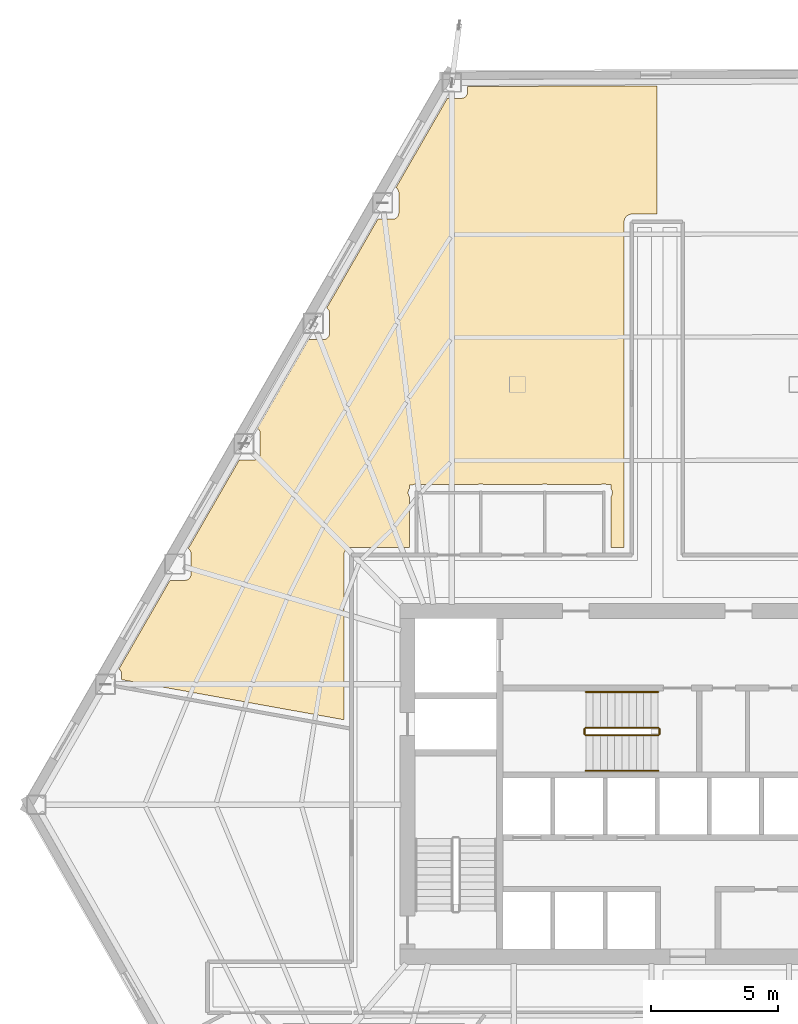
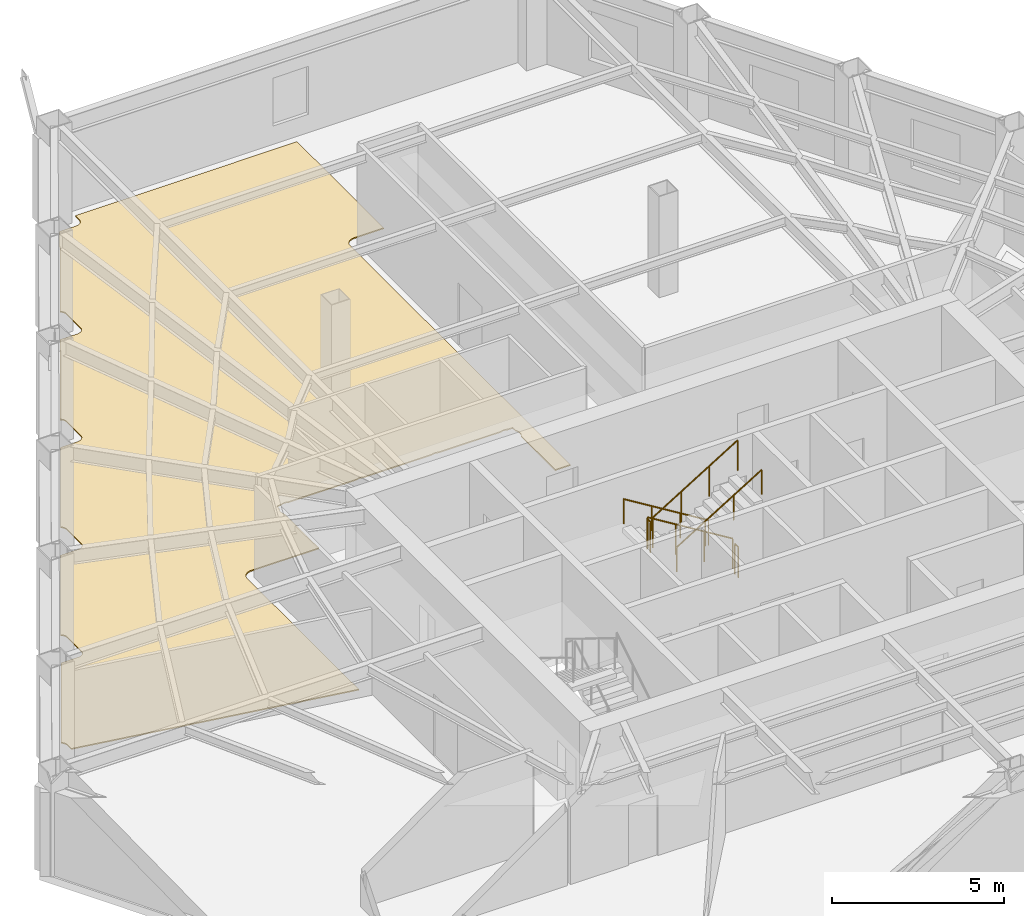
# One storey, part 11 of 12: 6 railings, 1 covering.
"""IFC4 building model written with IfcOpenShell, lengths in metres."""

import ifcopenshell
import ifcopenshell.guid

model = None  # the IFC model being written
_history = None  # IfcOwnerHistory: only IFC2X3 demands one
_inside = {}  # id of a spatial element -> (the spatial element, [elements in it])
_under = {}  # id of a project, library or spatial element -> (it, [spatial elements below it])
_declared = {}  # id of a project -> (the project, [libraries it declares])
_typed = {}  # id of a type object -> (the type object, [elements of that type])
_made_of = {}  # id of a material, layer set ... -> (it, [elements and type objects made of it])


def new_model(schema):
    """Start an empty IFC model of exactly this schema.

    Asked for "IFC4X3", IfcOpenShell would pick the latest addendum, in which some entities
    have other attributes; the version numbers below select the first issue.
    IFC2X3 requires an IfcOwnerHistory on every rooted entity: one is made here for all.
    """
    global model, _history
    if schema == "IFC4X3":
        model = ifcopenshell.file(schema_version=(4, 3, 0, 0))
    else:
        model = ifcopenshell.file(schema=schema)
    _inside.clear()
    _under.clear()
    _declared.clear()
    _typed.clear()
    _made_of.clear()
    _history = None
    if model.schema == "IFC2X3":
        org = make("IfcOrganization", Name="unknown")
        user = make(
            "IfcPersonAndOrganization",
            ThePerson=make("IfcPerson", FamilyName="unknown"),
            TheOrganization=org,
        )
        app = make(
            "IfcApplication",
            ApplicationDeveloper=org,
            Version="unknown",
            ApplicationFullName="unknown",
            ApplicationIdentifier="unknown",
        )
        _history = make(
            "IfcOwnerHistory",
            OwningUser=user,
            OwningApplication=app,
            ChangeAction="ADDED",
            CreationDate=0,
        )
    return model


def make(cls, **values):
    """One entity of the class cls with the attributes given. An attribute that is None is left unset."""
    return model.create_entity(
        cls, **{name: value for name, value in values.items() if value is not None}
    )


def rooted(cls, **values):
    """An entity with a GlobalId (a new one), such as an element, a storey or a relation."""
    return make(cls, GlobalId=ifcopenshell.guid.new(), OwnerHistory=_history, **values)


def si_unit(unit_type, name, prefix=None):
    """IfcSIUnit, for example si_unit("LENGTHUNIT", "METRE", prefix="MILLI")."""
    return make("IfcSIUnit", UnitType=unit_type, Prefix=prefix, Name=name)


def assignment(units):
    """IfcUnitAssignment: the units of a project."""
    return None if units is None else make("IfcUnitAssignment", Units=units)


def point(xyz):
    """IfcCartesianPoint."""
    return None if xyz is None else make("IfcCartesianPoint", Coordinates=xyz)


def direction(xyz):
    """IfcDirection."""
    return None if xyz is None else make("IfcDirection", DirectionRatios=xyz)


def frame(location, z_axis=None, x_axis=None):
    """IfcAxis2Placement3D, a coordinate frame: its origin and axes. An axis left out is left unset."""
    return make(
        "IfcAxis2Placement3D",
        Location=point(location),
        Axis=direction(z_axis),
        RefDirection=direction(x_axis),
    )


def frame_2d(location, x_axis=None):
    """IfcAxis2Placement2D, a coordinate frame in the plane: its origin and x axis."""
    return make(
        "IfcAxis2Placement2D", Location=point(location), RefDirection=direction(x_axis)
    )


def origin():
    """The frame at (0, 0, 0) with its axes left unset."""
    return frame((0.0, 0.0, 0.0))


def origin_2d():
    """The frame at (0, 0) in the plane with its x axis left unset."""
    return frame_2d((0.0, 0.0))


def place(relative_to, where):
    """IfcLocalPlacement: puts the frame where relative to a parent placement (None: the world)."""
    return make(
        "IfcLocalPlacement", PlacementRelTo=relative_to, RelativePlacement=where
    )


def context(
    kind, dimensions, precision=None, world=None, true_north=None, identifier=None
):
    """IfcGeometricRepresentationContext, for example the 3D "Model" context."""
    return make(
        "IfcGeometricRepresentationContext",
        ContextIdentifier=identifier,
        ContextType=kind,
        CoordinateSpaceDimension=dimensions,
        Precision=precision,
        WorldCoordinateSystem=world,
        TrueNorth=true_north,
    )


def subcontext(parent, identifier, kind, view, scale=None):
    """IfcGeometricRepresentationSubContext, for example "Body" below "Model"."""
    return make(
        "IfcGeometricRepresentationSubContext",
        ContextIdentifier=identifier,
        ContextType=kind,
        ParentContext=parent,
        TargetScale=scale,
        TargetView=view,
    )


def project(units=None, contexts=None):
    """IfcProject with its units and contexts."""
    return rooted(
        "IfcProject",
        Name="project",
        RepresentationContexts=contexts,
        UnitsInContext=assignment(units),
    )


def spatial(cls, under=None, at=None, **own):
    """A site, building, storey or space (cls), placed at a placement, below another one or the project."""
    s = rooted(cls, ObjectPlacement=at, **own)
    if under is not None:
        _under.setdefault(under.id(), (under, []))[1].append(s)
    return s


def polyline(points):
    """IfcPolyline through the points."""
    return make("IfcPolyline", Points=[point(p) for p in points])


def profile(cls, at=None, kind="AREA", **sizes):
    """A parametric profile (cls). Its sizes go by their IFC names, for example OverallWidth=200.0."""
    return make(cls, ProfileType=kind, Position=at, **sizes)


def circle(**sizes):
    """IfcCircleProfileDef."""
    return profile("IfcCircleProfileDef", **sizes)


def outline(outer, holes=None, kind="AREA"):
    """IfcArbitraryClosedProfileDef: a profile drawn as a closed curve; with holes, ...WithVoids."""
    if holes is None:
        return make("IfcArbitraryClosedProfileDef", ProfileType=kind, OuterCurve=outer)
    return make(
        "IfcArbitraryProfileDefWithVoids",
        ProfileType=kind,
        OuterCurve=outer,
        InnerCurves=holes,
    )


def extrude(swept, where, along, depth):
    """IfcExtrudedAreaSolid: the profile swept, set in the frame where, extruded along a direction by depth."""
    return make(
        "IfcExtrudedAreaSolid",
        SweptArea=swept,
        Position=where,
        ExtrudedDirection=direction(along),
        Depth=depth,
    )


def shape(context_of_items, identifier, shape_type, items):
    """IfcShapeRepresentation: the items that make up one representation, for example the "Body"."""
    return make(
        "IfcShapeRepresentation",
        ContextOfItems=context_of_items,
        RepresentationIdentifier=identifier,
        RepresentationType=shape_type,
        Items=items,
    )


def material(Name=None, Category=None):
    """IfcMaterial."""
    return make("IfcMaterial", Name=Name, Category=Category)


def layer(
    of_material, thickness, ventilated=None, Name=None, Category=None, Priority=None
):
    """IfcMaterialLayer: one layer of a wall or slab, of a material (None: an air gap)."""
    return make(
        "IfcMaterialLayer",
        Material=of_material,
        LayerThickness=thickness,
        IsVentilated=ventilated,
        Name=Name,
        Category=Category,
        Priority=Priority,
    )


def layer_set(layers, Name=None):
    """IfcMaterialLayerSet."""
    return make("IfcMaterialLayerSet", MaterialLayers=layers, LayerSetName=Name)


def made_of(thing, what):
    """Note that an element or type object is made of a material, layer set ...; save() writes the relation."""
    if what is not None:
        _made_of.setdefault(what.id(), (what, []))[1].append(thing)
    return thing


def type_object(cls, material=None, **own):
    """A type object (cls), such as IfcWallType, which elements share."""
    return made_of(rooted(cls, **own), material)


def element(
    cls,
    number,
    at=None,
    inside=None,
    cuts=None,
    type_object=None,
    material=None,
    context=None,
    identifier="Body",
    shape_type=None,
    held_by="IfcProductDefinitionShape",
    body=None,
    shapes=None,
    **own,
):
    """One element of the class cls, such as IfcWall. Its Tag is "e" and its number.

    at: its placement. inside: the storey or other place that contains it. cuts: it is an
    opening in that element (IfcRelVoidsElement). A single representation is given by context,
    identifier, shape_type and body (its items); several are given by shapes. held_by: the class
    of the entity that holds the representations. save() writes the other relations.
    """
    e = rooted(cls, Tag="e%d" % number, ObjectPlacement=at, **own)
    if body is not None:
        shapes = [shape(context, identifier, shape_type, body)]
    if shapes is not None:
        e.Representation = make(held_by, Representations=shapes)
    if inside is not None:
        _inside.setdefault(inside.id(), (inside, []))[1].append(e)
    if cuts is not None:
        rooted(
            "IfcRelVoidsElement", RelatingBuildingElement=cuts, RelatedOpeningElement=e
        )
    if type_object is not None:
        _typed.setdefault(type_object.id(), (type_object, []))[1].append(e)
    return made_of(e, material)


def aggregate(whole, parts):
    """IfcRelAggregates: a whole, such as a stair, and the parts it consists of."""
    return rooted("IfcRelAggregates", RelatingObject=whole, RelatedObjects=parts)


def save(model, path):
    """Write the relations noted so far, then the file.

    IfcRelAggregates (storeys below a building ...), IfcRelContainedInSpatialStructure (elements
    in a storey), IfcRelDefinesByType, IfcRelAssociatesMaterial and IfcRelDeclares: one each for
    every whole, place, type object, material and project.
    """
    for whole, parts in _under.values():
        aggregate(whole, parts)
    for where, things in _inside.values():
        rooted(
            "IfcRelContainedInSpatialStructure",
            RelatedElements=things,
            RelatingStructure=where,
        )
    for kind, things in _typed.values():
        rooted("IfcRelDefinesByType", RelatedObjects=things, RelatingType=kind)
    for what, things in _made_of.values():
        rooted("IfcRelAssociatesMaterial", RelatedObjects=things, RelatingMaterial=what)
    for by, libraries in _declared.values():
        rooted("IfcRelDeclares", RelatingContext=by, RelatedDefinitions=libraries)
    model.write(path)


model = new_model("IFC4")

# Units and contexts
model_context = context("Model", 3, precision=1e-05, world=origin(), true_north=direction((0.0, 1.0)))
body_context = subcontext(model_context, "Body", "Model", "MODEL_VIEW")
ifc_project = project(units=[si_unit("LENGTHUNIT", "METRE"), si_unit("AREAUNIT", "SQUARE_METRE"), si_unit("VOLUMEUNIT", "CUBIC_METRE"), si_unit("PLANEANGLEUNIT", "RADIAN"), si_unit("MASSUNIT", "GRAM", prefix="KILO")], contexts=[model_context])

# Site, building, storey
site_placement = place(None, origin())
site = spatial("IfcSite", under=ifc_project, at=site_placement, CompositionType="ELEMENT")
building_placement = place(site_placement, origin())
building = spatial("IfcBuilding", under=site, at=building_placement, Name="Kavelnor Concourse Tower", CompositionType="ELEMENT")
storey_placement = place(building_placement, frame((0.0, 0.0, 13.699951171875)))
storey = spatial("IfcBuildingStorey", under=building, at=storey_placement, Name="L03", CompositionType="ELEMENT", Elevation=13.699951171875)

# Covering
ifc_material_1 = material(Name="Honed bluestone and raised access floor finish", Category="masonry")
ifc_layer = layer(ifc_material_1, 0.0400390625, Name="Honed bluestone and raised access floor finish")
ifc_layer_set = layer_set([ifc_layer], Name="Honed bluestone and raised access floor finish")
covering_type = type_object("IfcCoveringType", Name="COV-FLOOR-STONE", PredefinedType="FLOORING", material=ifc_layer_set)
covering_placement = place(storey_placement, frame((0.0, 0.0, 0.001953125)))
element("IfcCovering", 1, at=covering_placement, inside=storey, type_object=covering_type, Name="L03 Honed Bluestone Floor Finish", PredefinedType="FLOORING", context=body_context, shape_type="SweptSolid", body=[
    extrude(outline(polyline([(19.4501953125, 24.105712890625), (19.473388671875, 24.109130859375), (19.496337890625, 24.114990234375), (19.5185546875, 24.122802734375), (19.539794921875, 24.1328125), (19.56005859375, 24.14501953125), (19.5791015625, 24.1591796875), (19.596435546875, 24.1748046875), (19.6123046875, 24.1923828125), (19.62646484375, 24.211181640625), (19.638427734375, 24.2314453125), (19.648681640625, 24.2529296875), (19.656494140625, 24.275146484375), (19.662109375, 24.2978515625), (19.665771484375, 24.3212890625), (19.66650390625, 24.33935546875), (19.66650390625, 25.150146484375), (19.665771484375, 25.16845703125), (19.662109375, 25.191650390625), (19.656494140625, 25.214599609375), (19.648681640625, 25.23681640625), (19.638427734375, 25.258056640625), (19.62646484375, 25.2783203125), (19.6123046875, 25.297119140625), (19.596435546875, 25.314697265625), (19.5791015625, 25.33056640625), (19.56005859375, 25.344482421875), (19.55712890625, 25.34619140625), (21.56640625, 28.837890625), (22.155517578125, 28.837890625), (22.173583984375, 28.8388671875), (22.197021484375, 28.84228515625), (22.2197265625, 28.847900390625), (22.241943359375, 28.85595703125), (22.263427734375, 28.865966796875), (22.28369140625, 28.878173828125), (22.302490234375, 28.89208984375), (22.320068359375, 28.907958984375), (22.335693359375, 28.925537109375), (22.349853515625, 28.9443359375), (22.362060546875, 28.964599609375), (22.3720703125, 28.986083984375), (22.3798828125, 29.00830078125), (22.3857421875, 29.031005859375), (22.38916015625, 29.05419921875), (22.39013671875, 29.072509765625), (22.39013671875, 29.88330078125), (22.38916015625, 29.901611328125), (22.3857421875, 29.9248046875), (22.3798828125, 29.947509765625), (22.3720703125, 29.9697265625), (22.362060546875, 29.9912109375), (22.349853515625, 30.011474609375), (22.335693359375, 30.0302734375), (22.320068359375, 30.0478515625), (22.302490234375, 30.063720703125), (22.28369140625, 30.07763671875), (22.28076171875, 30.079345703125), (24.2900390625, 33.571044921875), (24.879150390625, 33.571044921875), (24.897216796875, 33.572021484375), (24.920654296875, 33.575439453125), (24.943359375, 33.581298828125), (24.965576171875, 33.589111328125), (24.987060546875, 33.59912109375), (25.007080078125, 33.611328125), (25.026123046875, 33.62548828125), (25.043701171875, 33.64111328125), (25.059326171875, 33.65869140625), (25.073486328125, 33.677490234375), (25.085693359375, 33.69775390625), (25.095703125, 33.71923828125), (25.103515625, 33.741455078125), (25.109375, 33.76416015625), (25.11279296875, 33.78759765625), (25.11376953125, 33.8056640625), (25.11376953125, 34.616455078125), (25.11279296875, 34.634765625), (25.109375, 34.657958984375), (25.103515625, 34.680908203125), (25.095703125, 34.702880859375), (25.085693359375, 34.724365234375), (25.073486328125, 34.74462890625), (25.059326171875, 34.763427734375), (25.043701171875, 34.781005859375), (25.026123046875, 34.796875), (25.007080078125, 34.810791015625), (25.00439453125, 34.8125), (27.013671875, 38.30419921875), (27.602783203125, 38.30419921875), (27.620849609375, 38.30517578125), (27.644287109375, 38.30859375), (27.6669921875, 38.314208984375), (27.689208984375, 38.322265625), (27.710693359375, 38.332275390625), (27.730712890625, 38.344482421875), (27.749755859375, 38.3583984375), (27.76708984375, 38.374267578125), (27.782958984375, 38.391845703125), (27.797119140625, 38.41064453125), (27.80908203125, 38.430908203125), (27.8193359375, 38.452392578125), (27.8271484375, 38.474609375), (27.8330078125, 38.497314453125), (27.83642578125, 38.5205078125), (27.83740234375, 38.538818359375), (27.83740234375, 39.349609375), (27.83642578125, 39.367919921875), (27.8330078125, 39.39111328125), (27.8271484375, 39.413818359375), (27.8193359375, 39.43603515625), (27.80908203125, 39.45751953125), (27.797119140625, 39.477783203125), (27.782958984375, 39.49658203125), (27.76708984375, 39.51416015625), (27.749755859375, 39.52978515625), (27.730712890625, 39.5439453125), (27.72802734375, 39.545654296875), (29.748779296875, 43.057373046875), (30.306396484375, 43.057373046875), (30.324462890625, 43.05810546875), (30.347900390625, 43.061767578125), (30.37060546875, 43.0673828125), (30.392822265625, 43.0751953125), (30.414306640625, 43.08544921875), (30.434326171875, 43.097412109375), (30.453369140625, 43.111572265625), (30.470703125, 43.12744140625), (30.486572265625, 43.14501953125), (30.500732421875, 43.163818359375), (30.5126953125, 43.18408203125), (30.52294921875, 43.205322265625), (30.53076171875, 43.2275390625), (30.53662109375, 43.25048828125), (30.5400390625, 43.273681640625), (30.541015625, 43.2919921875), (30.541015625, 43.519775390625), (37.9951171875, 43.54931640625), (37.9951171875, 38.50244140625), (36.99462890625, 38.50244140625), (36.97021484375, 38.501220703125), (36.94091796875, 38.496826171875), (36.912109375, 38.48974609375), (36.884033203125, 38.479736328125), (36.857421875, 38.467041015625), (36.831787109375, 38.45166015625), (36.807861328125, 38.43408203125), (36.785888671875, 38.4140625), (36.76611328125, 38.39208984375), (36.748291015625, 38.3681640625), (36.73291015625, 38.3427734375), (36.72021484375, 38.31591796875), (36.710205078125, 38.287841796875), (36.703125, 38.259033203125), (36.69873046875, 38.229736328125), (36.697509765625, 38.205322265625), (36.697509765625, 25.402587890625), (36.18505859375, 25.402587890625), (36.18505859375, 27.388671875), (36.187255859375, 27.3916015625), (36.20166015625, 27.41552734375), (36.213623046875, 27.44091796875), (36.222900390625, 27.46728515625), (36.229736328125, 27.494384765625), (36.23388671875, 27.52197265625), (36.2353515625, 27.550048828125), (36.23388671875, 27.577880859375), (36.229736328125, 27.605712890625), (36.222900390625, 27.6328125), (36.213623046875, 27.6591796875), (36.20166015625, 27.6845703125), (36.187255859375, 27.70849609375), (36.1796875, 27.718505859375), (36.17919921875, 27.8701171875), (36.0166015625, 27.8701171875), (36.00927734375, 27.87353515625), (35.98291015625, 27.883056640625), (35.955810546875, 27.889892578125), (35.927978515625, 27.893798828125), (35.89990234375, 27.895263671875), (35.8720703125, 27.893798828125), (35.84423828125, 27.889892578125), (35.817138671875, 27.883056640625), (35.790771484375, 27.87353515625), (35.785888671875, 27.87109375), (33.696533203125, 27.8701171875), (33.689208984375, 27.87353515625), (33.662841796875, 27.883056640625), (33.6357421875, 27.889892578125), (33.60791015625, 27.893798828125), (33.580078125, 27.895263671875), (33.552001953125, 27.893798828125), (33.5244140625, 27.889892578125), (33.497314453125, 27.883056640625), (33.470703125, 27.87353515625), (33.4658203125, 27.87109375), (31.176513671875, 27.8701171875), (31.169189453125, 27.87353515625), (31.142822265625, 27.883056640625), (31.11572265625, 27.889892578125), (31.087890625, 27.893798828125), (31.06005859375, 27.895263671875), (31.031982421875, 27.893798828125), (31.00439453125, 27.889892578125), (30.977294921875, 27.883056640625), (30.95068359375, 27.87353515625), (30.94580078125, 27.87109375), (28.656494140625, 27.8701171875), (28.649169921875, 27.87353515625), (28.622802734375, 27.883056640625), (28.595703125, 27.889892578125), (28.568115234375, 27.893798828125), (28.5400390625, 27.895263671875), (28.511962890625, 27.893798828125), (28.484375, 27.889892578125), (28.457275390625, 27.883056640625), (28.430908203125, 27.87353515625), (28.40771484375, 27.862548828125), (28.260009765625, 27.843994140625), (28.260009765625, 27.71826171875), (28.252685546875, 27.70849609375), (28.23828125, 27.6845703125), (28.226318359375, 27.6591796875), (28.217041015625, 27.6328125), (28.210205078125, 27.605712890625), (28.2060546875, 27.577880859375), (28.20458984375, 27.550048828125), (28.2060546875, 27.52197265625), (28.210205078125, 27.494384765625), (28.217041015625, 27.46728515625), (28.226318359375, 27.44091796875), (28.23828125, 27.41552734375), (28.252685546875, 27.3916015625), (28.2548828125, 27.388671875), (28.2548828125, 25.402587890625), (25.974609375, 25.402587890625), (25.9501953125, 25.4013671875), (25.9208984375, 25.39697265625), (25.89208984375, 25.3896484375), (25.864013671875, 25.379638671875), (25.83740234375, 25.366943359375), (25.811767578125, 25.351806640625), (25.787841796875, 25.333984375), (25.765869140625, 25.314208984375), (25.74609375, 25.2919921875), (25.728271484375, 25.268310546875), (25.712890625, 25.24267578125), (25.7001953125, 25.2158203125), (25.690185546875, 25.18798828125), (25.68310546875, 25.1591796875), (25.6787109375, 25.129638671875), (25.677490234375, 25.10546875), (25.677490234375, 18.621337890625), (16.943115234375, 20.196044921875), (16.943115234375, 20.4169921875), (16.942138671875, 20.435302734375), (16.938720703125, 20.45849609375), (16.932861328125, 20.4814453125), (16.925048828125, 20.503662109375), (16.914794921875, 20.52490234375), (16.90283203125, 20.545166015625), (16.888671875, 20.564208984375), (16.872802734375, 20.58154296875), (16.85546875, 20.597412109375), (16.83642578125, 20.611572265625), (16.833740234375, 20.61328125), (18.843017578125, 24.104736328125), (19.431884765625, 24.104736328125), (19.4501953125, 24.105712890625)])), origin(), (0.0, 0.0, 1.0), 0.0400390625),
])

# Railings
ifc_material_2 = material(Name="Steel Grade 350", Category="steel")
railing_type_1 = type_object("IfcRailingType", Name="RLG-GUARD-1100", PredefinedType="GUARDRAIL", material=ifc_material_2)
railing_1_placement = place(storey_placement, frame((38.0400390625, 18.31005859375, 0.175048828125)))
element("IfcRailing", 2, at=railing_1_placement, inside=storey, type_object=railing_type_1, Name="L03 ST3 stair guard 1", PredefinedType="GUARDRAIL", context=body_context, shape_type="SweptSolid", body=[
    extrude(circle(Radius=0.02392578125, at=origin_2d()), frame((0.0, 0.0, 1.076171875), z_axis=(-0.852179220489, 0.0, 0.52325001306), x_axis=(0.0, -1.0, 0.0)), (0.0, 0.0, 1.0), 3.344482421875),
    extrude(circle(Radius=0.02099609375, at=origin_2d()), origin(), (0.0, 0.0, 1.0), 1.052001953125),
    extrude(circle(Radius=0.02099609375, at=origin_2d()), frame((-0.949951171875, 0.0, 0.583251953125)), (0.0, 0.0, 1.0), 1.052001953125),
    extrude(circle(Radius=0.02099609375, at=origin_2d()), frame((-1.900146484375, 0.0, 1.166748046875)), (0.0, 0.0, 1.0), 1.052001953125),
    extrude(circle(Radius=0.02099609375, at=origin_2d()), frame((-2.85009765625, 0.0, 1.75)), (0.0, 0.0, 1.0), 1.052001953125),
])
railing_2_placement = place(storey_placement, frame((35.139892578125, 18.260009765625, 1.925048828125)))
element("IfcRailing", 3, at=railing_2_placement, inside=storey, type_object=railing_type_1, Name="L03 ST3 stair guard 2", PredefinedType="GUARDRAIL", context=body_context, shape_type="SweptSolid", body=[
    extrude(circle(Radius=0.02392578125, at=origin_2d()), frame((0.0, 0.0, 1.076171875), z_axis=(0.0, -1.0, 0.0), x_axis=(1.0, 0.0, 0.0)), (0.0, 0.0, 1.0), 0.199951171875),
    extrude(circle(Radius=0.02099609375, at=origin_2d()), origin(), (0.0, 0.0, 1.0), 1.052001953125),
    extrude(circle(Radius=0.02099609375, at=origin_2d()), frame((0.0, -0.199951171875, 0.0)), (0.0, 0.0, 1.0), 1.052001953125),
])
railing_3_placement = place(storey_placement, frame((35.18994140625, 18.010009765625, 2.10009765625)))
element("IfcRailing", 4, at=railing_3_placement, inside=storey, type_object=railing_type_1, Name="L03 ST3 stair guard 3", PredefinedType="GUARDRAIL", context=body_context, shape_type="SweptSolid", body=[
    extrude(circle(Radius=0.02392578125, at=origin_2d()), frame((0.0, 0.0, 1.076171875), z_axis=(0.852179220489, 0.0, 0.52325001306), x_axis=(0.0, 1.0, 0.0)), (0.0, 0.0, 1.0), 3.344482421875),
    extrude(circle(Radius=0.02099609375, at=origin_2d()), origin(), (0.0, 0.0, 1.0), 1.052001953125),
    extrude(circle(Radius=0.02099609375, at=origin_2d()), frame((0.949951171875, 0.0, 0.583251953125)), (0.0, 0.0, 1.0), 1.052001953125),
    extrude(circle(Radius=0.02099609375, at=origin_2d()), frame((1.900146484375, 0.0, 1.166748046875)), (0.0, 0.0, 1.0), 1.052001953125),
    extrude(circle(Radius=0.02099609375, at=origin_2d()), frame((2.85009765625, 0.0, 1.75)), (0.0, 0.0, 1.0), 1.052001953125),
])
railing_4_placement = place(storey_placement, frame((38.090087890625, 18.260009765625, 0.0)))
element("IfcRailing", 5, at=railing_4_placement, inside=storey, type_object=railing_type_1, Name="L03 ST3 stair guard 4", PredefinedType="GUARDRAIL", context=body_context, shape_type="SweptSolid", body=[
    extrude(circle(Radius=0.02392578125, at=origin_2d()), frame((0.0, 0.0, 1.076171875), z_axis=(0.0, -1.0, 0.0), x_axis=(1.0, 0.0, 0.0)), (0.0, 0.0, 1.0), 0.199951171875),
    extrude(circle(Radius=0.02099609375, at=origin_2d()), origin(), (0.0, 0.0, 1.0), 1.052001953125),
    extrude(circle(Radius=0.02099609375, at=origin_2d()), frame((0.0, -0.199951171875, 0.0)), (0.0, 0.0, 1.0), 1.052001953125),
])
railing_type_2 = type_object("IfcRailingType", Name="RLG-HANDRAIL-900", PredefinedType="HANDRAIL", material=ifc_material_2)
railing_5_placement = place(storey_placement, frame((38.0400390625, 19.7099609375, 0.175048828125)))
element("IfcRailing", 6, at=railing_5_placement, inside=storey, type_object=railing_type_2, Name="L03 ST3 stair handrail 1", PredefinedType="HANDRAIL", context=body_context, shape_type="SweptSolid", body=[
    extrude(circle(Radius=0.02392578125, at=origin_2d()), frame((0.0, 0.0, 0.8759765625), z_axis=(-0.852179220489, 0.0, 0.52325001306), x_axis=(0.0, -1.0, 0.0)), (0.0, 0.0, 1.0), 3.344482421875),
    extrude(circle(Radius=0.02099609375, at=origin_2d()), origin(), (0.0, 0.0, 1.0), 0.851806640625),
    extrude(circle(Radius=0.02099609375, at=origin_2d()), frame((-0.949951171875, 0.0, 0.583251953125)), (0.0, 0.0, 1.0), 0.851806640625),
    extrude(circle(Radius=0.02099609375, at=origin_2d()), frame((-1.900146484375, 0.0, 1.166748046875)), (0.0, 0.0, 1.0), 0.851806640625),
    extrude(circle(Radius=0.02099609375, at=origin_2d()), frame((-2.85009765625, 0.0, 1.75)), (0.0, 0.0, 1.0), 0.851806640625),
])
railing_6_placement = place(storey_placement, frame((35.18994140625, 16.610107421875, 2.10009765625)))
element("IfcRailing", 7, at=railing_6_placement, inside=storey, type_object=railing_type_2, Name="L03 ST3 stair handrail 2", PredefinedType="HANDRAIL", context=body_context, shape_type="SweptSolid", body=[
    extrude(circle(Radius=0.02392578125, at=origin_2d()), frame((0.0, 0.0, 0.8759765625), z_axis=(0.852179220489, 0.0, 0.52325001306), x_axis=(0.0, 1.0, 0.0)), (0.0, 0.0, 1.0), 3.344482421875),
    extrude(circle(Radius=0.02099609375, at=origin_2d()), origin(), (0.0, 0.0, 1.0), 0.851806640625),
    extrude(circle(Radius=0.02099609375, at=origin_2d()), frame((0.949951171875, 0.0, 0.583251953125)), (0.0, 0.0, 1.0), 0.851806640625),
    extrude(circle(Radius=0.02099609375, at=origin_2d()), frame((1.900146484375, 0.0, 1.166748046875)), (0.0, 0.0, 1.0), 0.851806640625),
    extrude(circle(Radius=0.02099609375, at=origin_2d()), frame((2.85009765625, 0.0, 1.75)), (0.0, 0.0, 1.0), 0.851806640625),
])

save(model, "model.ifc")
